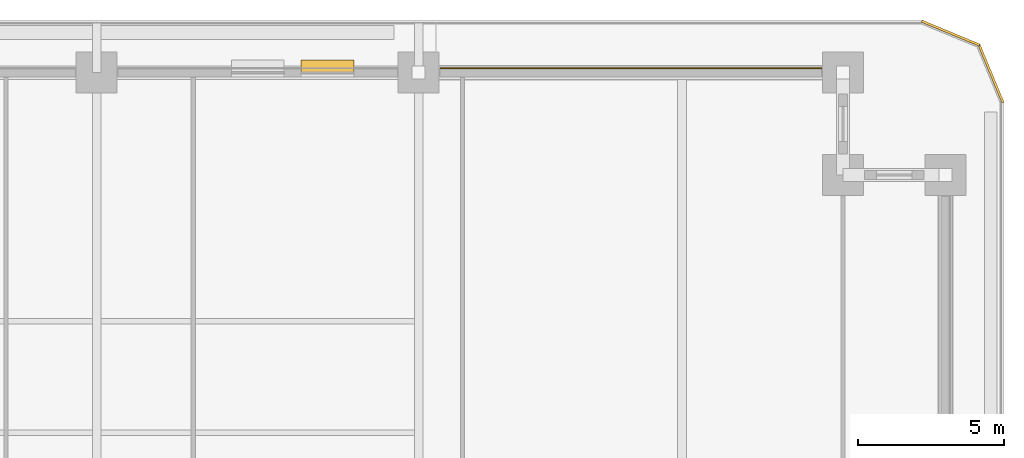
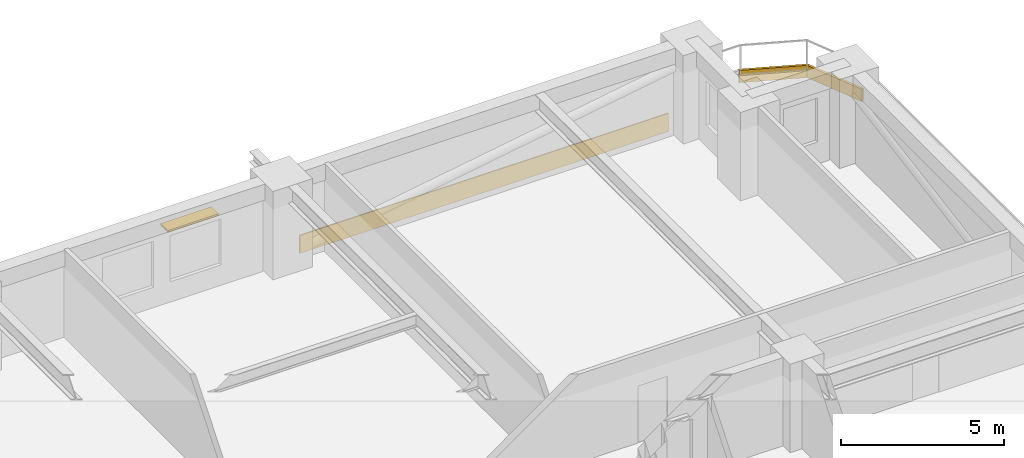
# One storey, part 15 of 15: 3 coverings, 1 shading device.
"""IFC4 building model written with IfcOpenShell, lengths in metres."""

import ifcopenshell
import ifcopenshell.guid

model = None  # the IFC model being written
_history = None  # IfcOwnerHistory: only IFC2X3 demands one
_inside = {}  # id of a spatial element -> (the spatial element, [elements in it])
_under = {}  # id of a project, library or spatial element -> (it, [spatial elements below it])
_declared = {}  # id of a project -> (the project, [libraries it declares])
_typed = {}  # id of a type object -> (the type object, [elements of that type])
_made_of = {}  # id of a material, layer set ... -> (it, [elements and type objects made of it])


def new_model(schema):
    """Start an empty IFC model of exactly this schema.

    Asked for "IFC4X3", IfcOpenShell would pick the latest addendum, in which some entities
    have other attributes; the version numbers below select the first issue.
    IFC2X3 requires an IfcOwnerHistory on every rooted entity: one is made here for all.
    """
    global model, _history
    if schema == "IFC4X3":
        model = ifcopenshell.file(schema_version=(4, 3, 0, 0))
    else:
        model = ifcopenshell.file(schema=schema)
    _inside.clear()
    _under.clear()
    _declared.clear()
    _typed.clear()
    _made_of.clear()
    _history = None
    if model.schema == "IFC2X3":
        org = make("IfcOrganization", Name="unknown")
        user = make(
            "IfcPersonAndOrganization",
            ThePerson=make("IfcPerson", FamilyName="unknown"),
            TheOrganization=org,
        )
        app = make(
            "IfcApplication",
            ApplicationDeveloper=org,
            Version="unknown",
            ApplicationFullName="unknown",
            ApplicationIdentifier="unknown",
        )
        _history = make(
            "IfcOwnerHistory",
            OwningUser=user,
            OwningApplication=app,
            ChangeAction="ADDED",
            CreationDate=0,
        )
    return model


def make(cls, **values):
    """One entity of the class cls with the attributes given. An attribute that is None is left unset."""
    return model.create_entity(
        cls, **{name: value for name, value in values.items() if value is not None}
    )


def rooted(cls, **values):
    """An entity with a GlobalId (a new one), such as an element, a storey or a relation."""
    return make(cls, GlobalId=ifcopenshell.guid.new(), OwnerHistory=_history, **values)


def si_unit(unit_type, name, prefix=None):
    """IfcSIUnit, for example si_unit("LENGTHUNIT", "METRE", prefix="MILLI")."""
    return make("IfcSIUnit", UnitType=unit_type, Prefix=prefix, Name=name)


def assignment(units):
    """IfcUnitAssignment: the units of a project."""
    return None if units is None else make("IfcUnitAssignment", Units=units)


def point(xyz):
    """IfcCartesianPoint."""
    return None if xyz is None else make("IfcCartesianPoint", Coordinates=xyz)


def direction(xyz):
    """IfcDirection."""
    return None if xyz is None else make("IfcDirection", DirectionRatios=xyz)


def frame(location, z_axis=None, x_axis=None):
    """IfcAxis2Placement3D, a coordinate frame: its origin and axes. An axis left out is left unset."""
    return make(
        "IfcAxis2Placement3D",
        Location=point(location),
        Axis=direction(z_axis),
        RefDirection=direction(x_axis),
    )


def frame_2d(location, x_axis=None):
    """IfcAxis2Placement2D, a coordinate frame in the plane: its origin and x axis."""
    return make(
        "IfcAxis2Placement2D", Location=point(location), RefDirection=direction(x_axis)
    )


def origin():
    """The frame at (0, 0, 0) with its axes left unset."""
    return frame((0.0, 0.0, 0.0))


def place(relative_to, where):
    """IfcLocalPlacement: puts the frame where relative to a parent placement (None: the world)."""
    return make(
        "IfcLocalPlacement", PlacementRelTo=relative_to, RelativePlacement=where
    )


def context(
    kind, dimensions, precision=None, world=None, true_north=None, identifier=None
):
    """IfcGeometricRepresentationContext, for example the 3D "Model" context."""
    return make(
        "IfcGeometricRepresentationContext",
        ContextIdentifier=identifier,
        ContextType=kind,
        CoordinateSpaceDimension=dimensions,
        Precision=precision,
        WorldCoordinateSystem=world,
        TrueNorth=true_north,
    )


def subcontext(parent, identifier, kind, view, scale=None):
    """IfcGeometricRepresentationSubContext, for example "Body" below "Model"."""
    return make(
        "IfcGeometricRepresentationSubContext",
        ContextIdentifier=identifier,
        ContextType=kind,
        ParentContext=parent,
        TargetScale=scale,
        TargetView=view,
    )


def project(units=None, contexts=None):
    """IfcProject with its units and contexts."""
    return rooted(
        "IfcProject",
        Name="project",
        RepresentationContexts=contexts,
        UnitsInContext=assignment(units),
    )


def spatial(cls, under=None, at=None, **own):
    """A site, building, storey or space (cls), placed at a placement, below another one or the project."""
    s = rooted(cls, ObjectPlacement=at, **own)
    if under is not None:
        _under.setdefault(under.id(), (under, []))[1].append(s)
    return s


def profile(cls, at=None, kind="AREA", **sizes):
    """A parametric profile (cls). Its sizes go by their IFC names, for example OverallWidth=200.0."""
    return make(cls, ProfileType=kind, Position=at, **sizes)


def rectangle(**sizes):
    """IfcRectangleProfileDef."""
    return profile("IfcRectangleProfileDef", **sizes)


def extrude(swept, where, along, depth):
    """IfcExtrudedAreaSolid: the profile swept, set in the frame where, extruded along a direction by depth."""
    return make(
        "IfcExtrudedAreaSolid",
        SweptArea=swept,
        Position=where,
        ExtrudedDirection=direction(along),
        Depth=depth,
    )


def shape(context_of_items, identifier, shape_type, items):
    """IfcShapeRepresentation: the items that make up one representation, for example the "Body"."""
    return make(
        "IfcShapeRepresentation",
        ContextOfItems=context_of_items,
        RepresentationIdentifier=identifier,
        RepresentationType=shape_type,
        Items=items,
    )


def material(Name=None, Category=None):
    """IfcMaterial."""
    return make("IfcMaterial", Name=Name, Category=Category)


def layer(
    of_material, thickness, ventilated=None, Name=None, Category=None, Priority=None
):
    """IfcMaterialLayer: one layer of a wall or slab, of a material (None: an air gap)."""
    return make(
        "IfcMaterialLayer",
        Material=of_material,
        LayerThickness=thickness,
        IsVentilated=ventilated,
        Name=Name,
        Category=Category,
        Priority=Priority,
    )


def layer_set(layers, Name=None):
    """IfcMaterialLayerSet."""
    return make("IfcMaterialLayerSet", MaterialLayers=layers, LayerSetName=Name)


def made_of(thing, what):
    """Note that an element or type object is made of a material, layer set ...; save() writes the relation."""
    if what is not None:
        _made_of.setdefault(what.id(), (what, []))[1].append(thing)
    return thing


def type_object(cls, material=None, **own):
    """A type object (cls), such as IfcWallType, which elements share."""
    return made_of(rooted(cls, **own), material)


def element(
    cls,
    number,
    at=None,
    inside=None,
    cuts=None,
    type_object=None,
    material=None,
    context=None,
    identifier="Body",
    shape_type=None,
    held_by="IfcProductDefinitionShape",
    body=None,
    shapes=None,
    **own,
):
    """One element of the class cls, such as IfcWall. Its Tag is "e" and its number.

    at: its placement. inside: the storey or other place that contains it. cuts: it is an
    opening in that element (IfcRelVoidsElement). A single representation is given by context,
    identifier, shape_type and body (its items); several are given by shapes. held_by: the class
    of the entity that holds the representations. save() writes the other relations.
    """
    e = rooted(cls, Tag="e%d" % number, ObjectPlacement=at, **own)
    if body is not None:
        shapes = [shape(context, identifier, shape_type, body)]
    if shapes is not None:
        e.Representation = make(held_by, Representations=shapes)
    if inside is not None:
        _inside.setdefault(inside.id(), (inside, []))[1].append(e)
    if cuts is not None:
        rooted(
            "IfcRelVoidsElement", RelatingBuildingElement=cuts, RelatedOpeningElement=e
        )
    if type_object is not None:
        _typed.setdefault(type_object.id(), (type_object, []))[1].append(e)
    return made_of(e, material)


def aggregate(whole, parts):
    """IfcRelAggregates: a whole, such as a stair, and the parts it consists of."""
    return rooted("IfcRelAggregates", RelatingObject=whole, RelatedObjects=parts)


def save(model, path):
    """Write the relations noted so far, then the file.

    IfcRelAggregates (storeys below a building ...), IfcRelContainedInSpatialStructure (elements
    in a storey), IfcRelDefinesByType, IfcRelAssociatesMaterial and IfcRelDeclares: one each for
    every whole, place, type object, material and project.
    """
    for whole, parts in _under.values():
        aggregate(whole, parts)
    for where, things in _inside.values():
        rooted(
            "IfcRelContainedInSpatialStructure",
            RelatedElements=things,
            RelatingStructure=where,
        )
    for kind, things in _typed.values():
        rooted("IfcRelDefinesByType", RelatedObjects=things, RelatingType=kind)
    for what, things in _made_of.values():
        rooted("IfcRelAssociatesMaterial", RelatedObjects=things, RelatingMaterial=what)
    for by, libraries in _declared.values():
        rooted("IfcRelDeclares", RelatingContext=by, RelatedDefinitions=libraries)
    model.write(path)


model = new_model("IFC4")

# Units and contexts
model_context = context("Model", 3, precision=1e-05, world=origin(), true_north=direction((0.0, 1.0)))
body_context = subcontext(model_context, "Body", "Model", "MODEL_VIEW")
ifc_project = project(units=[si_unit("LENGTHUNIT", "METRE"), si_unit("AREAUNIT", "SQUARE_METRE"), si_unit("VOLUMEUNIT", "CUBIC_METRE"), si_unit("PLANEANGLEUNIT", "RADIAN"), si_unit("MASSUNIT", "GRAM", prefix="KILO")], contexts=[model_context])

# Site, building, storey
site_placement = place(None, origin())
site = spatial("IfcSite", under=ifc_project, at=site_placement, CompositionType="ELEMENT")
building_placement = place(site_placement, origin())
building = spatial("IfcBuilding", under=site, at=building_placement, Name="Zulmaris Gate Convention Tower", CompositionType="ELEMENT")
storey_placement = place(building_placement, frame((0.0, 0.0, 37.909912109375)))
storey = spatial("IfcBuildingStorey", under=building, at=storey_placement, Name="L08", CompositionType="ELEMENT", Elevation=37.909912109375)

# Coverings
ifc_material_1 = material(Name="Precast concrete C40/50", Category="concrete")
ifc_layer_1 = layer(ifc_material_1, 0.0400390625, Name="Precast concrete C40/50")
ifc_layer_set_1 = layer_set([ifc_layer_1], Name="Precast concrete C40/50")
covering_type_1 = type_object("IfcCoveringType", Name="CLAD-SPANDREL-PRECAST", PredefinedType="CLADDING", material=ifc_layer_set_1)
covering_1_placement = place(storey_placement, frame((24.77001953125, 26.64990234375, 0.0), z_axis=(0.0, 0.0, 1.0), x_axis=(-1.0, 0.0, 0.0)))
element("IfcCovering", 1, at=covering_1_placement, inside=storey, type_object=covering_type_1, Name="CLD-L08-N-3_0", PredefinedType="CLADDING", context=body_context, shape_type="SweptSolid", body=[
    extrude(rectangle(XDim=13.0400390625, YDim=0.0400390625, at=frame_2d((6.52001953125, 0.0))), origin(), (0.0, 0.0, 1.0), 0.679931640625),
])
ifc_material_2 = material(Name="White Glazed Architectural Precast Concrete C40/50", Category="concrete")
ifc_layer_2 = layer(ifc_material_2, 0.080078125, Name="White Glazed Architectural Precast Concrete C40/50")
ifc_layer_set_2 = layer_set([ifc_layer_2], Name="White Glazed Architectural Precast Concrete C40/50")
covering_type_2 = type_object("IfcCoveringType", Name="CLAD-TRAY-FASCIA", PredefinedType="CLADDING", material=ifc_layer_set_2)
covering_2_placement = place(storey_placement, frame((30.962890625, 25.484619140625, -0.340087890625), z_axis=(0.0, 0.0, 1.0), x_axis=(-0.382656984709, 0.923890487046, 0.0)))
element("IfcCovering", 2, at=covering_2_placement, inside=storey, type_object=covering_type_2, Name="FSC-L08-TR-06", PredefinedType="CLADDING", context=body_context, shape_type="SweptSolid", body=[
    extrude(rectangle(XDim=2.14306640625, YDim=0.080078125, at=frame_2d((1.071533203125, 0.0))), origin(), (0.0, 0.0, 1.0), 0.4599609375),
])
covering_3_placement = place(storey_placement, frame((30.16455078125, 27.44287109375, -0.340087890625), z_axis=(0.0, 0.0, 1.0), x_axis=(-0.923873803533, 0.382697263049, 0.0)))
element("IfcCovering", 3, at=covering_3_placement, inside=storey, type_object=covering_type_2, Name="FSC-L08-TR-07", PredefinedType="CLADDING", context=body_context, shape_type="SweptSolid", body=[
    extrude(rectangle(XDim=2.142822265625, YDim=0.080078125, at=frame_2d((1.0712890625, 0.0))), origin(), (0.0, 0.0, 1.0), 0.4599609375),
])

# Shading device
ifc_material_3 = material(Name="Glazed Ceramic Terracotta", Category="masonry")
ifc_layer_3 = layer(ifc_material_3, 0.070068359375, Name="Glazed Ceramic Terracotta")
ifc_layer_set_3 = layer_set([ifc_layer_3], Name="Glazed Ceramic Terracotta")
shading_device_type = type_object("IfcShadingDeviceType", Name="SHD-SUNSHADE-TC", PredefinedType="AWNING", material=ifc_layer_set_3)
shading_device_placement = place(storey_placement, frame((8.784912109375, 26.719970703125, 2.530029296875), z_axis=(0.0, 0.0, 1.0), x_axis=(-1.0, 0.0, 0.0)))
element("IfcShadingDevice", 4, at=shading_device_placement, inside=storey, type_object=shading_device_type, Name="SHD-EW-L08-N-2_0-1", PredefinedType="AWNING", context=body_context, shape_type="SweptSolid", body=[
    extrude(rectangle(XDim=1.7998046875, YDim=0.43994140625, at=frame_2d((0.89990234375, 0.0))), origin(), (0.0, 0.0, 1.0), 0.070068359375),
])

save(model, "model.ifc")
